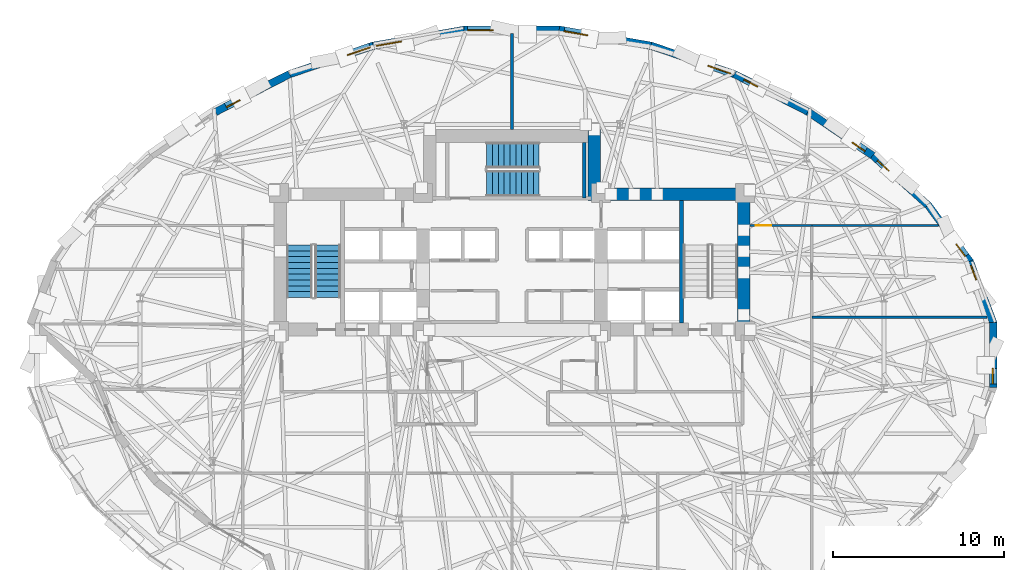
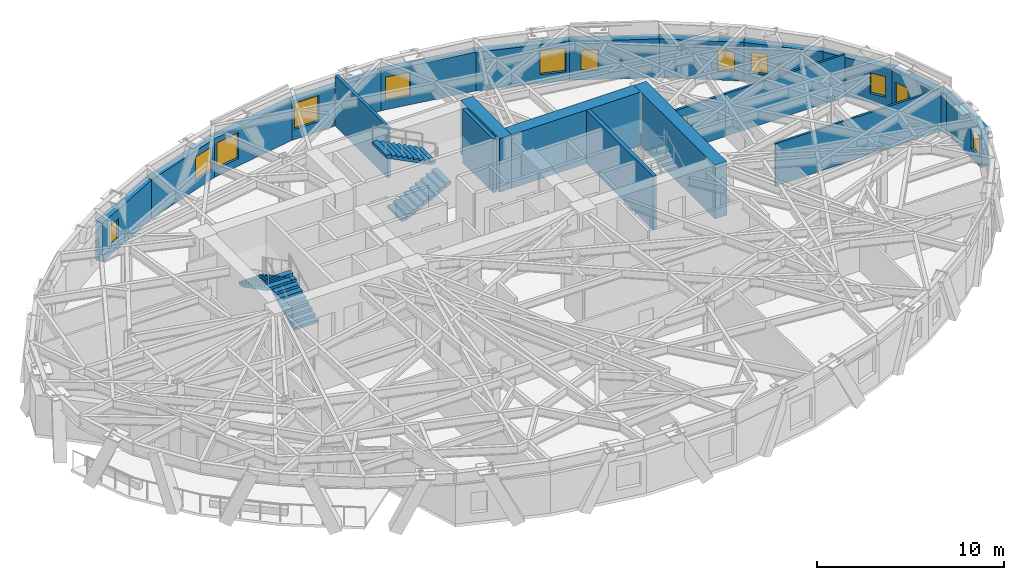
# One storey, part 12 of 17: 21 walls, 12 windows, 4 stair flights, 1 door, 13 openings, 2 elements without a shape of their own.
"""IFC4 building model written with IfcOpenShell, lengths in metres."""

from ifc_helpers import new_model, si_unit, direction, frame, frame_2d, origin, place, context, subcontext, project, spatial, polyline, rectangle, outline, extrude, material, layer, layer_set, type_object, element, fill, aggregate, save


model = new_model("IFC4")

# Units and contexts
model_context = context("Model", 3, precision=1e-05, world=origin(), true_north=direction((0.0, 1.0)))
body_context = subcontext(model_context, "Body", "Model", "MODEL_VIEW")
ifc_project = project(units=[si_unit("LENGTHUNIT", "METRE"), si_unit("AREAUNIT", "SQUARE_METRE"), si_unit("VOLUMEUNIT", "CUBIC_METRE"), si_unit("PLANEANGLEUNIT", "RADIAN"), si_unit("MASSUNIT", "GRAM", prefix="KILO")], contexts=[model_context])

# Site, building, storey
site_placement = place(None, origin())
site = spatial("IfcSite", under=ifc_project, at=site_placement, CompositionType="ELEMENT")
building_placement = place(site_placement, origin())
building = spatial("IfcBuilding", under=site, at=building_placement, Name="Keldmark Tower", CompositionType="ELEMENT")
storey_placement = place(building_placement, frame((0.0, 0.0, 96.60009765625)))
storey = spatial("IfcBuildingStorey", under=building, at=storey_placement, Name="L25", CompositionType="ELEMENT", Elevation=96.60009765625)

# Wall, opening, door
ifc_material_1 = material(Name="Acoustic Double-Layer Gypsum Corridor Partition", Category="gypsum")
ifc_layer_1 = layer(ifc_material_1, 0.139892578125)
ifc_layer_set_1 = layer_set([ifc_layer_1], Name="Acoustic Double-Layer Gypsum Corridor Partition")
wall_type_1 = type_object("IfcWallType", Name="Acoustic Corridor Partition 140 mm", PredefinedType="PARTITIONING", material=ifc_layer_set_1)
wall_1_placement = place(storey_placement, frame((13.89990234375, 7.550048828125, 0.0), z_axis=(0.0, 0.0, 1.0), x_axis=(1.0, 0.0, 0.0)))
wall_1 = element("IfcWall", 1, at=wall_1_placement, inside=storey, type_object=wall_type_1, Name="L25 Acoustic Corridor Partition 140 mm COR-EN-CAP", PredefinedType="PARTITIONING", context=body_context, shape_type="SweptSolid", body=[
    extrude(rectangle(XDim=3.60009765625, YDim=0.139892578125, at=frame_2d((1.800048828125, 0.0))), origin(), (0.0, 0.0, 1.0), 2.762939453125),
])
opening_1_placement = place(wall_1_placement, frame((0.320068359375, 0.0, 0.0)))
opening_1 = element("IfcOpeningElement", 2, at=opening_1_placement, cuts=wall_1, Name="Opening D-EX092", PredefinedType="OPENING", context=body_context, shape_type="SweptSolid", body=[
    extrude(rectangle(XDim=0.919921875, YDim=2.14990234375, at=frame_2d((0.4599609375, 1.074951171875))), frame((0.0, 0.079833984375, 0.0), z_axis=(0.0, -1.0, 0.0), x_axis=(1.0, 0.0, 0.0)), (0.0, 0.0, 1.0), 0.159912109375),
])
ifc_material_2 = material(Name="Flush American Ash Executive Office Door", Category="wood")
door_type = type_object("IfcDoorType", Name="Executive Office Door 920x2150", OperationType="NOTDEFINED", PredefinedType="DOOR", material=ifc_material_2)
door_placement = place(opening_1_placement, origin())
door = element("IfcDoor", 3, at=door_placement, inside=storey, type_object=door_type, Name="L25 Executive Office Door 920x2150 D-NRNE-L25", OperationType="SINGLE_SWING_RIGHT", OverallHeight=2.14990234375, OverallWidth=0.919921875, PredefinedType="DOOR", context=body_context, shape_type="SweptSolid", body=[
    extrude(rectangle(XDim=0.919921875, YDim=2.14990234375, at=frame_2d((0.4599609375, 1.074951171875))), frame((0.0, 0.02490234375, 0.0), z_axis=(0.0, -1.0, 0.0), x_axis=(1.0, 0.0, 0.0)), (0.0, 0.0, 1.0), 0.050048828125),
])
fill(opening_1, door)

# Walls
ifc_material_3 = material(Name="STC-58 Insulated Tenant Demising Gypsum Partition", Category="gypsum")
ifc_layer_2 = layer(ifc_material_3, 0.175048828125)
ifc_layer_set_2 = layer_set([ifc_layer_2], Name="STC-58 Insulated Tenant Demising Gypsum Partition")
wall_type_2 = type_object("IfcWallType", Name="Demising Suite Partition 175 mm", PredefinedType="PARTITIONING", material=ifc_layer_set_2)
wall_2_placement = place(storey_placement, frame((0.0, 13.14990234375, 0.0), z_axis=(0.0, 0.0, 1.0), x_axis=(0.0, 1.0, 0.0)))
element("IfcWall", 4, at=wall_2_placement, inside=storey, type_object=wall_type_2, Name="L25 Demising Suite Partition 175 mm N-MID-DIV", PredefinedType="PARTITIONING", context=body_context, shape_type="SweptSolid", body=[
    extrude(rectangle(XDim=5.59423828125, YDim=0.175048828125, at=frame_2d((2.797119140625, 0.0))), origin(), (0.0, 0.0, 1.0), 3.309814453125),
])
ifc_material_4 = material(Name="Acoustic Gypsum Board Interior Partition", Category="gypsum")
ifc_layer_3 = layer(ifc_material_4, 0.1298828125)
ifc_layer_set_3 = layer_set([ifc_layer_3], Name="Acoustic Gypsum Board Interior Partition")
wall_type_3 = type_object("IfcWallType", Name="Interior Partition 130 mm", PredefinedType="PARTITIONING", material=ifc_layer_set_3)
wall_3_placement = place(storey_placement, frame((17.5, 7.550048828125, 0.0), z_axis=(0.0, 0.0, 1.0), x_axis=(1.0, 0.0, 0.0)))
element("IfcWall", 5, at=wall_3_placement, inside=storey, type_object=wall_type_3, Name="L25 Interior Partition 130 mm E-CAP-N", PredefinedType="PARTITIONING", context=body_context, shape_type="SweptSolid", body=[
    extrude(rectangle(XDim=7.37890625, YDim=0.1298828125, at=frame_2d((3.689453125, 0.0))), origin(), (0.0, 0.0, 1.0), 2.762939453125),
])
wall_4_placement = place(storey_placement, frame((17.5, 2.199951171875, 0.0), z_axis=(0.0, 0.0, 1.0), x_axis=(1.0, 0.0, 0.0)))
element("IfcWall", 6, at=wall_4_placement, inside=storey, type_object=wall_type_3, Name="L25 Interior Partition 130 mm E-DIV-1", PredefinedType="PARTITIONING", context=body_context, shape_type="SweptSolid", body=[
    extrude(rectangle(XDim=10.2158203125, YDim=0.1298828125, at=frame_2d((5.10791015625, 0.0))), origin(), (0.0, 0.0, 1.0), 2.7509765625),
])
ifc_material_5 = material(Name="Concrete C70/85", Category="concrete")
ifc_layer_4 = layer(ifc_material_5, 0.75)
ifc_layer_set_4 = layer_set([ifc_layer_4], Name="Concrete C70/85")
wall_type_4 = type_object("IfcWallType", Name="Low-Mid Core Shear Wall 750 mm", PredefinedType="SHEAR", material=ifc_layer_set_4)
wall_5_placement = place(storey_placement, frame((13.52490234375, 1.10009765625, 0.0), z_axis=(0.0, 0.0, 1.0), x_axis=(0.0, 1.0, 0.0)))
element("IfcWall", 7, at=wall_5_placement, inside=storey, type_object=wall_type_4, Name="L25 East Core Outer Shear Wall", PredefinedType="SHEAR", context=body_context, shape_type="SweptSolid", body=[
    extrude(rectangle(XDim=8.64990234375, YDim=0.75, at=frame_2d((4.324951171875, 0.0))), origin(), (0.0, 0.0, 1.0), 3.5),
])
wall_6_placement = place(storey_placement, frame((4.425048828125, 9.375, 0.0), z_axis=(0.0, 0.0, 1.0), x_axis=(1.0, 0.0, 0.0)))
element("IfcWall", 8, at=wall_6_placement, inside=storey, type_object=wall_type_4, Name="L25 East Core North Shear Wall", PredefinedType="SHEAR", context=body_context, shape_type="SweptSolid", body=[
    extrude(rectangle(XDim=9.474853515625, YDim=0.75, at=frame_2d((4.7373046875, 0.0))), origin(), (0.0, 0.0, 1.0), 3.5),
])
wall_7_placement = place(storey_placement, frame((4.800048828125, 9.0, 0.0), z_axis=(0.0, 0.0, 1.0), x_axis=(0.0, 1.0, 0.0)))
element("IfcWall", 9, at=wall_7_placement, inside=storey, type_object=wall_type_4, Name="L25 North Core East Shear Wall", PredefinedType="SHEAR", context=body_context, shape_type="SweptSolid", body=[
    extrude(rectangle(XDim=4.14990234375, YDim=0.75, at=frame_2d((2.074951171875, 0.0))), origin(), (0.0, 0.0, 1.0), 3.5),
])
ifc_material_6 = material(Name="Concrete C50/60", Category="concrete")
ifc_layer_5 = layer(ifc_material_6, 0.219970703125)
ifc_layer_set_5 = layer_set([ifc_layer_5], Name="Concrete C50/60")
wall_type_5 = type_object("IfcWallType", Name="Stair Core Shear Wall 220 mm", PredefinedType="SHEAR", material=ifc_layer_set_5)
wall_8_placement = place(storey_placement, frame((9.889892578125, 1.85009765625, 0.0), z_axis=(0.0, 0.0, 1.0), x_axis=(0.0, 1.0, 0.0)))
element("IfcWall", 10, at=wall_8_placement, inside=storey, type_object=wall_type_5, Name="L25 East Stair Core Shear Wall", PredefinedType="SHEAR", context=body_context, shape_type="SweptSolid", body=[
    extrude(rectangle(XDim=7.14990234375, YDim=0.219970703125, at=frame_2d((3.574951171875, 0.0))), origin(), (0.0, 0.0, 1.0), 3.5),
])
wall_9_placement = place(storey_placement, frame((4.215087890625, 9.139892578125, 0.0), z_axis=(0.0, 0.0, 1.0), x_axis=(0.0, 1.0, 0.0)))
element("IfcWall", 11, at=wall_9_placement, inside=storey, type_object=wall_type_5, Name="L25 Central Stair Core East Shear Wall", PredefinedType="SHEAR", context=body_context, shape_type="SweptSolid", body=[
    extrude(rectangle(XDim=3.260009765625, YDim=0.219970703125, at=frame_2d((1.6298828125, 0.0))), origin(), (0.0, 0.0, 1.0), 3.5),
])

# Wall, opening, window
ifc_material_7 = material(Name="Ironspot Manganese Brick and Kasota Buff Limestone Spandrel Assembly", Category="masonry")
ifc_layer_6 = layer(ifc_material_7, 0.43994140625)
ifc_layer_set_6 = layer_set([ifc_layer_6], Name="Ironspot Manganese Brick and Kasota Buff Limestone Spandrel Assembly")
wall_type_6 = type_object("IfcWallType", Name="Tower Brick Pier and Spandrel Wall 440 mm", PredefinedType="STANDARD", material=ifc_layer_set_6)
wall_10_placement = place(storey_placement, frame((26.720458984375, 5.45849609375, 0.0), z_axis=(0.0, 0.0, 1.0), x_axis=(0.355453982488, -0.93469378212, 0.0)))
wall_10 = element("IfcWall", 12, at=wall_10_placement, inside=storey, type_object=wall_type_6, Name="L25 Exterior Brick and Spandrel Wall 01", PredefinedType="STANDARD", context=body_context, shape_type="SweptSolid", body=[
    extrude(rectangle(XDim=3.9013671875, YDim=0.43994140625, at=frame_2d((1.95068359375, 0.0))), origin(), (0.0, 0.0, 1.0), 2.52783203125),
])
opening_2_placement = place(wall_10_placement, frame((0.2490234375, 0.0, 0.419921875)))
opening_2 = element("IfcOpeningElement", 13, at=opening_2_placement, cuts=wall_10, Name="Opening W-09", PredefinedType="OPENING", context=body_context, shape_type="SweptSolid", body=[
    extrude(rectangle(XDim=0.89990234375, YDim=1.35009765625, at=frame_2d((0.449951171875, 0.675048828125))), frame((0.0, 0.22998046875, 0.0), z_axis=(0.0, -1.0, 0.0), x_axis=(1.0, 0.0, 0.0)), (0.0, 0.0, 1.0), 0.4599609375),
])
ifc_material_8 = material(Name="Thermally Broken Anodized Aluminum and Triple Low-E Argon Glazing", Category="aluminium")
window_type_1 = type_object("IfcWindowType", Name="Corner Pier Deep-Set Window 900x1350", PartitioningType="SINGLE_PANEL", PredefinedType="WINDOW", material=ifc_material_8)
window_1_placement = place(opening_2_placement, origin())
window_1 = element("IfcWindow", 14, at=window_1_placement, inside=storey, type_object=window_type_1, Name="L25 Deep-Set Window 01", OverallHeight=1.35009765625, OverallWidth=0.89990234375, PartitioningType="SINGLE_PANEL", PredefinedType="WINDOW", context=body_context, shape_type="SweptSolid", body=[
    extrude(rectangle(XDim=0.89990234375, YDim=1.35009765625, at=frame_2d((0.449951171875, 0.675048828125))), frame((0.0, -0.010009765625, 0.0), z_axis=(0.0, -1.0, 0.0), x_axis=(1.0, 0.0, 0.0)), (0.0, 0.0, 1.0), 0.06005859375),
])
fill(opening_2, window_1)

wall_11_placement = place(storey_placement, frame((24.287109375, 8.73291015625, 0.0), z_axis=(0.0, 0.0, 1.0), x_axis=(0.594853677057, -0.803834002075, 0.0)))
wall_11 = element("IfcWall", 15, at=wall_11_placement, inside=storey, type_object=wall_type_6, Name="L25 Exterior Brick and Spandrel Wall 02", PredefinedType="STANDARD", context=body_context, shape_type="SweptSolid", body=[
    extrude(rectangle(XDim=4.13916015625, YDim=0.43994140625, at=frame_2d((2.069580078125, 0.0))), origin(), (0.0, 0.0, 1.0), 2.52783203125),
])
opening_3_placement = place(wall_11_placement, frame((2.7900390625, 0.0, 0.580078125)))
opening_3 = element("IfcOpeningElement", 16, at=opening_3_placement, cuts=wall_11, Name="Opening W-09", PredefinedType="OPENING", context=body_context, shape_type="SweptSolid", body=[
    extrude(rectangle(XDim=0.89990234375, YDim=1.35009765625, at=frame_2d((0.449951171875, 0.675048828125))), frame((0.0, 0.22998046875, 0.0), z_axis=(0.0, -1.0, 0.0), x_axis=(1.0, 0.0, 0.0)), (0.0, 0.0, 1.0), 0.4599609375),
])
window_2_placement = place(opening_3_placement, origin())
window_2 = element("IfcWindow", 17, at=window_2_placement, inside=storey, type_object=window_type_1, Name="L25 Deep-Set Window 02", OverallHeight=1.35009765625, OverallWidth=0.89990234375, PartitioningType="SINGLE_PANEL", PredefinedType="WINDOW", context=body_context, shape_type="SweptSolid", body=[
    extrude(rectangle(XDim=0.89990234375, YDim=1.35009765625, at=frame_2d((0.449951171875, 0.675048828125))), frame((0.0, -0.010009765625, 0.0), z_axis=(0.0, -1.0, 0.0), x_axis=(1.0, 0.0, 0.0)), (0.0, 0.0, 1.0), 0.06005859375),
])
fill(opening_3, window_2)

wall_12_placement = place(storey_placement, frame((21.0546875, 11.630859375, 0.0), z_axis=(0.0, 0.0, 1.0), x_axis=(0.743897322515, -0.668293927516, 0.0)))
wall_12 = element("IfcWall", 18, at=wall_12_placement, inside=storey, type_object=wall_type_6, Name="L25 Exterior Brick and Spandrel Wall 03", PredefinedType="STANDARD", context=body_context, shape_type="SweptSolid", body=[
    extrude(rectangle(XDim=4.38525390625, YDim=0.43994140625, at=frame_2d((2.192626953125, 0.0))), origin(), (0.0, 0.0, 1.0), 2.52783203125),
])
opening_4_placement = place(wall_12_placement, frame((0.399169921875, 0.0, 0.580078125)))
opening_4 = element("IfcOpeningElement", 19, at=opening_4_placement, cuts=wall_12, Name="Opening W-09", PredefinedType="OPENING", context=body_context, shape_type="SweptSolid", body=[
    extrude(rectangle(XDim=0.89990234375, YDim=1.35009765625, at=frame_2d((0.449951171875, 0.675048828125))), frame((0.0, 0.22998046875, 0.0), z_axis=(0.0, -1.0, 0.0), x_axis=(1.0, 0.0, 0.0)), (0.0, 0.0, 1.0), 0.4599609375),
])
window_3_placement = place(opening_4_placement, origin())
window_3 = element("IfcWindow", 20, at=window_3_placement, inside=storey, type_object=window_type_1, Name="L25 Deep-Set Window 03", OverallHeight=1.35009765625, OverallWidth=0.89990234375, PartitioningType="SINGLE_PANEL", PredefinedType="WINDOW", context=body_context, shape_type="SweptSolid", body=[
    extrude(rectangle(XDim=0.89990234375, YDim=1.35009765625, at=frame_2d((0.449951171875, 0.675048828125))), frame((0.0, -0.010009765625, 0.0), z_axis=(0.0, -1.0, 0.0), x_axis=(1.0, 0.0, 0.0)), (0.0, 0.0, 1.0), 0.06005859375),
])
fill(opening_4, window_3)

wall_13_placement = place(storey_placement, frame((17.2763671875, 14.189697265625, 0.0), z_axis=(0.0, 0.0, 1.0), x_axis=(0.827740300315, -0.561111392893, 0.0)))
wall_13 = element("IfcWall", 21, at=wall_13_placement, inside=storey, type_object=wall_type_6, Name="L25 Exterior Brick and Spandrel Wall 04", PredefinedType="STANDARD", context=body_context, shape_type="SweptSolid", body=[
    extrude(rectangle(XDim=4.593017578125, YDim=0.43994140625, at=frame_2d((2.29638671875, 0.0))), origin(), (0.0, 0.0, 1.0), 2.52783203125),
])
opening_5_placement = place(wall_13_placement, frame((3.143798828125, 0.0, 0.580078125)))
opening_5 = element("IfcOpeningElement", 22, at=opening_5_placement, cuts=wall_13, Name="Opening W-09", PredefinedType="OPENING", context=body_context, shape_type="SweptSolid", body=[
    extrude(rectangle(XDim=0.89990234375, YDim=1.35009765625, at=frame_2d((0.449951171875, 0.675048828125))), frame((0.0, 0.22998046875, 0.0), z_axis=(0.0, -1.0, 0.0), x_axis=(1.0, 0.0, 0.0)), (0.0, 0.0, 1.0), 0.4599609375),
])
window_4_placement = place(opening_5_placement, origin())
window_4 = element("IfcWindow", 23, at=window_4_placement, inside=storey, type_object=window_type_1, Name="L25 Deep-Set Window 04", OverallHeight=1.35009765625, OverallWidth=0.89990234375, PartitioningType="SINGLE_PANEL", PredefinedType="WINDOW", context=body_context, shape_type="SweptSolid", body=[
    extrude(rectangle(XDim=0.89990234375, YDim=1.35009765625, at=frame_2d((0.449951171875, 0.675048828125))), frame((0.0, -0.010009765625, 0.0), z_axis=(0.0, -1.0, 0.0), x_axis=(1.0, 0.0, 0.0)), (0.0, 0.0, 1.0), 0.06005859375),
])
fill(opening_5, window_4)

wall_14_placement = place(storey_placement, frame((12.97607421875, 16.38720703125, 0.0), z_axis=(0.0, 0.0, 1.0), x_axis=(0.890297461787, -0.455379434687, 0.0)))
wall_14 = element("IfcWall", 24, at=wall_14_placement, inside=storey, type_object=wall_type_6, Name="L25 Exterior Brick and Spandrel Wall 05", PredefinedType="STANDARD", context=body_context, shape_type="SweptSolid", body=[
    extrude(rectangle(XDim=4.856201171875, YDim=0.43994140625, at=frame_2d((2.42822265625, 0.0))), origin(), (0.0, 0.0, 1.0), 2.52783203125),
])
opening_6_placement = place(wall_14_placement, frame((0.64453125, 0.0, 0.580078125)))
opening_6 = element("IfcOpeningElement", 25, at=opening_6_placement, cuts=wall_14, Name="Opening W-09", PredefinedType="OPENING", context=body_context, shape_type="SweptSolid", body=[
    extrude(rectangle(XDim=0.89990234375, YDim=1.35009765625, at=frame_2d((0.449951171875, 0.675048828125))), frame((0.0, 0.22998046875, 0.0), z_axis=(0.0, -1.0, 0.0), x_axis=(1.0, 0.0, 0.0)), (0.0, 0.0, 1.0), 0.4599609375),
])
window_5_placement = place(opening_6_placement, origin())
window_5 = element("IfcWindow", 26, at=window_5_placement, inside=storey, type_object=window_type_1, Name="L25 Deep-Set Window 05", OverallHeight=1.35009765625, OverallWidth=0.89990234375, PartitioningType="SINGLE_PANEL", PredefinedType="WINDOW", context=body_context, shape_type="SweptSolid", body=[
    extrude(rectangle(XDim=0.89990234375, YDim=1.35009765625, at=frame_2d((0.449951171875, 0.675048828125))), frame((0.0, -0.010009765625, 0.0), z_axis=(0.0, -1.0, 0.0), x_axis=(1.0, 0.0, 0.0)), (0.0, 0.0, 1.0), 0.06005859375),
])
fill(opening_6, window_5)

wall_15_placement = place(storey_placement, frame((8.09716796875, 18.0439453125, 0.0), z_axis=(0.0, 0.0, 1.0), x_axis=(0.946763558794, -0.321929749697, 0.0)))
wall_15 = element("IfcWall", 27, at=wall_15_placement, inside=storey, type_object=wall_type_6, Name="L25 Exterior Brick and Spandrel Wall 06", PredefinedType="STANDARD", context=body_context, shape_type="SweptSolid", body=[
    extrude(rectangle(XDim=5.18408203125, YDim=0.43994140625, at=frame_2d((2.592041015625, 0.0))), origin(), (0.0, 0.0, 1.0), 2.52783203125),
])
opening_7_placement = place(wall_15_placement, frame((3.534423828125, 0.0, 0.580078125)))
opening_7 = element("IfcOpeningElement", 28, at=opening_7_placement, cuts=wall_15, Name="Opening W-08", PredefinedType="OPENING", context=body_context, shape_type="SweptSolid", body=[
    extrude(rectangle(XDim=1.39990234375, YDim=1.550048828125, at=frame_2d((0.699951171875, 0.77490234375))), frame((0.0, 0.22998046875, 0.0), z_axis=(0.0, -1.0, 0.0), x_axis=(1.0, 0.0, 0.0)), (0.0, 0.0, 1.0), 0.4599609375),
])
ifc_material_9 = material(Name="Thermally Broken Anodized Aluminum and Triple Low-E Argon Glazing", Category="aluminium")
window_type_2 = type_object("IfcWindowType", Name="Residential Corner Punched Window 1400x1550", PartitioningType="SINGLE_PANEL", PredefinedType="WINDOW", material=ifc_material_9)
window_6_placement = place(opening_7_placement, origin())
window_6 = element("IfcWindow", 29, at=window_6_placement, inside=storey, type_object=window_type_2, Name="L25 Deep-Set Window 06", OverallHeight=1.550048828125, OverallWidth=1.39990234375, PartitioningType="SINGLE_PANEL", PredefinedType="WINDOW", context=body_context, shape_type="SweptSolid", body=[
    extrude(rectangle(XDim=1.39990234375, YDim=1.550048828125, at=frame_2d((0.699951171875, 0.77490234375))), frame((0.0, -0.010009765625, 0.0), z_axis=(0.0, -1.0, 0.0), x_axis=(1.0, 0.0, 0.0)), (0.0, 0.0, 1.0), 0.06005859375),
])
fill(opening_7, window_6)

wall_16_placement = place(storey_placement, frame((2.750732421875, 18.975341796875, 0.0), z_axis=(0.0, 0.0, 1.0), x_axis=(0.985074276728, -0.172129803722, 0.0)))
wall_16 = element("IfcWall", 30, at=wall_16_placement, inside=storey, type_object=wall_type_6, Name="L25 Exterior Brick and Spandrel Wall 07", PredefinedType="STANDARD", context=body_context, shape_type="SweptSolid", body=[
    extrude(rectangle(XDim=5.460693359375, YDim=0.43994140625, at=frame_2d((2.73046875, 0.0))), origin(), (0.0, 0.0, 1.0), 2.52783203125),
])
opening_8_placement = place(wall_16_placement, frame((0.298828125, 0.0, 0.580078125)))
opening_8 = element("IfcOpeningElement", 31, at=opening_8_placement, cuts=wall_16, Name="Opening W-08", PredefinedType="OPENING", context=body_context, shape_type="SweptSolid", body=[
    extrude(rectangle(XDim=1.39990234375, YDim=1.550048828125, at=frame_2d((0.699951171875, 0.77490234375))), frame((0.0, 0.22998046875, 0.0), z_axis=(0.0, -1.0, 0.0), x_axis=(1.0, 0.0, 0.0)), (0.0, 0.0, 1.0), 0.4599609375),
])
window_7_placement = place(opening_8_placement, origin())
window_7 = element("IfcWindow", 32, at=window_7_placement, inside=storey, type_object=window_type_2, Name="L25 Deep-Set Window 07", OverallHeight=1.550048828125, OverallWidth=1.39990234375, PartitioningType="SINGLE_PANEL", PredefinedType="WINDOW", context=body_context, shape_type="SweptSolid", body=[
    extrude(rectangle(XDim=1.39990234375, YDim=1.550048828125, at=frame_2d((0.699951171875, 0.77490234375))), frame((0.0, -0.010009765625, 0.0), z_axis=(0.0, -1.0, 0.0), x_axis=(1.0, 0.0, 0.0)), (0.0, 0.0, 1.0), 0.06005859375),
])
fill(opening_8, window_7)

wall_17_placement = place(storey_placement, frame((-2.78857421875, 18.97216796875, 0.0), z_axis=(0.0, 0.0, 1.0), x_axis=(1.0, 0.0, 0.0)))
wall_17 = element("IfcWall", 33, at=wall_17_placement, inside=storey, type_object=wall_type_6, Name="L25 Exterior Brick and Spandrel Wall 08", PredefinedType="STANDARD", context=body_context, shape_type="SweptSolid", body=[
    extrude(rectangle(XDim=5.5771484375, YDim=0.43994140625, at=frame_2d((2.78857421875, 0.0))), origin(), (0.0, 0.0, 1.0), 2.52783203125),
])
opening_9_placement = place(wall_17_placement, frame((0.199951171875, 0.0, 0.64990234375)))
opening_9 = element("IfcOpeningElement", 34, at=opening_9_placement, cuts=wall_17, Name="Opening W-03", PredefinedType="OPENING", context=body_context, shape_type="SweptSolid", body=[
    extrude(rectangle(XDim=1.5, YDim=1.699951171875, at=frame_2d((0.75, 0.85009765625))), frame((0.0, 0.22998046875, 0.0), z_axis=(0.0, -1.0, 0.0), x_axis=(1.0, 0.0, 0.0)), (0.0, 0.0, 1.0), 0.4599609375),
])
ifc_material_10 = material(Name="Thermally Broken Anodized Aluminum and Triple Low-E Argon Glazing", Category="aluminium")
window_type_3 = type_object("IfcWindowType", Name="Office Corner Deep-Set Window 1500x1700", PartitioningType="DOUBLE_PANEL_VERTICAL", PredefinedType="WINDOW", material=ifc_material_10)
window_8_placement = place(opening_9_placement, origin())
window_8 = element("IfcWindow", 35, at=window_8_placement, inside=storey, type_object=window_type_3, Name="L25 Deep-Set Window 08", OverallHeight=1.699951171875, OverallWidth=1.5, PartitioningType="SINGLE_PANEL", PredefinedType="WINDOW", context=body_context, shape_type="SweptSolid", body=[
    extrude(rectangle(XDim=1.5, YDim=1.699951171875, at=frame_2d((0.75, 0.85009765625))), frame((0.0, -0.010009765625, 0.0), z_axis=(0.0, -1.0, 0.0), x_axis=(1.0, 0.0, 0.0)), (0.0, 0.0, 1.0), 0.06005859375),
])
fill(opening_9, window_8)

wall_18_placement = place(storey_placement, frame((-8.1298828125, 18.035400390625, 0.0), z_axis=(0.0, 0.0, 1.0), x_axis=(0.985074276728, 0.172129803722, 0.0)))
wall_18 = element("IfcWall", 36, at=wall_18_placement, inside=storey, type_object=wall_type_6, Name="L25 Exterior Brick and Spandrel Wall 09", PredefinedType="STANDARD", context=body_context, shape_type="SweptSolid", body=[
    extrude(rectangle(XDim=5.460693359375, YDim=0.43994140625, at=frame_2d((2.73046875, 0.0))), origin(), (0.0, 0.0, 1.0), 2.52783203125),
])
opening_10_placement = place(wall_18_placement, frame((0.199951171875, 0.0, 0.47998046875)))
opening_10 = element("IfcOpeningElement", 37, at=opening_10_placement, cuts=wall_18, Name="Opening W-03", PredefinedType="OPENING", context=body_context, shape_type="SweptSolid", body=[
    extrude(rectangle(XDim=1.5, YDim=1.699951171875, at=frame_2d((0.75, 0.85009765625))), frame((0.0, 0.22998046875, 0.0), z_axis=(0.0, -1.0, 0.0), x_axis=(1.0, 0.0, 0.0)), (0.0, 0.0, 1.0), 0.4599609375),
])
window_9_placement = place(opening_10_placement, origin())
window_9 = element("IfcWindow", 38, at=window_9_placement, inside=storey, type_object=window_type_3, Name="L25 Deep-Set Window 09", OverallHeight=1.699951171875, OverallWidth=1.5, PartitioningType="SINGLE_PANEL", PredefinedType="WINDOW", context=body_context, shape_type="SweptSolid", body=[
    extrude(rectangle(XDim=1.5, YDim=1.699951171875, at=frame_2d((0.75, 0.85009765625))), frame((0.0, -0.010009765625, 0.0), z_axis=(0.0, -1.0, 0.0), x_axis=(1.0, 0.0, 0.0)), (0.0, 0.0, 1.0), 0.06005859375),
])
fill(opening_10, window_9)

wall_19_placement = place(storey_placement, frame((-13.00537109375, 16.375, 0.0), z_axis=(0.0, 0.0, 1.0), x_axis=(0.946763558794, 0.321929749697, 0.0)))
wall_19 = element("IfcWall", 39, at=wall_19_placement, inside=storey, type_object=wall_type_6, Name="L25 Exterior Brick and Spandrel Wall 10", PredefinedType="STANDARD", context=body_context, shape_type="SweptSolid", body=[
    extrude(rectangle(XDim=5.18408203125, YDim=0.43994140625, at=frame_2d((2.592041015625, 0.0))), origin(), (0.0, 0.0, 1.0), 2.52783203125),
])
opening_11_placement = place(wall_19_placement, frame((3.584228515625, 0.0, 0.580078125)))
opening_11 = element("IfcOpeningElement", 40, at=opening_11_placement, cuts=wall_19, Name="Opening W-08", PredefinedType="OPENING", context=body_context, shape_type="SweptSolid", body=[
    extrude(rectangle(XDim=1.39990234375, YDim=1.550048828125, at=frame_2d((0.699951171875, 0.77490234375))), frame((0.0, 0.22998046875, 0.0), z_axis=(0.0, -1.0, 0.0), x_axis=(1.0, 0.0, 0.0)), (0.0, 0.0, 1.0), 0.4599609375),
])
window_10_placement = place(opening_11_placement, origin())
window_10 = element("IfcWindow", 41, at=window_10_placement, inside=storey, type_object=window_type_2, Name="L25 Deep-Set Window 10", OverallHeight=1.550048828125, OverallWidth=1.39990234375, PartitioningType="SINGLE_PANEL", PredefinedType="WINDOW", context=body_context, shape_type="SweptSolid", body=[
    extrude(rectangle(XDim=1.39990234375, YDim=1.550048828125, at=frame_2d((0.699951171875, 0.77490234375))), frame((0.0, -0.010009765625, 0.0), z_axis=(0.0, -1.0, 0.0), x_axis=(1.0, 0.0, 0.0)), (0.0, 0.0, 1.0), 0.06005859375),
])
fill(opening_11, window_10)

wall_20_placement = place(storey_placement, frame((-17.299560546875, 14.17578125, 0.0), z_axis=(0.0, 0.0, 1.0), x_axis=(0.890297461787, 0.455379434687, 0.0)))
wall_20 = element("IfcWall", 42, at=wall_20_placement, inside=storey, type_object=wall_type_6, Name="L25 Exterior Brick and Spandrel Wall 11", PredefinedType="STANDARD", context=body_context, shape_type="SweptSolid", body=[
    extrude(rectangle(XDim=4.856201171875, YDim=0.43994140625, at=frame_2d((2.42822265625, 0.0))), origin(), (0.0, 0.0, 1.0), 2.52783203125),
])
opening_12_placement = place(wall_20_placement, frame((0.69384765625, 0.0, 0.580078125)))
opening_12 = element("IfcOpeningElement", 43, at=opening_12_placement, cuts=wall_20, Name="Opening W-09", PredefinedType="OPENING", context=body_context, shape_type="SweptSolid", body=[
    extrude(rectangle(XDim=0.89990234375, YDim=1.35009765625, at=frame_2d((0.449951171875, 0.675048828125))), frame((0.0, 0.22998046875, 0.0), z_axis=(0.0, -1.0, 0.0), x_axis=(1.0, 0.0, 0.0)), (0.0, 0.0, 1.0), 0.4599609375),
])
window_11_placement = place(opening_12_placement, origin())
window_11 = element("IfcWindow", 44, at=window_11_placement, inside=storey, type_object=window_type_1, Name="L25 Deep-Set Window 11", OverallHeight=1.35009765625, OverallWidth=0.89990234375, PartitioningType="SINGLE_PANEL", PredefinedType="WINDOW", context=body_context, shape_type="SweptSolid", body=[
    extrude(rectangle(XDim=0.89990234375, YDim=1.35009765625, at=frame_2d((0.449951171875, 0.675048828125))), frame((0.0, -0.010009765625, 0.0), z_axis=(0.0, -1.0, 0.0), x_axis=(1.0, 0.0, 0.0)), (0.0, 0.0, 1.0), 0.06005859375),
])
fill(opening_12, window_11)

wall_21_placement = place(storey_placement, frame((28.0927734375, 1.890380859375, 0.0), z_axis=(0.0, 0.0, 1.0), x_axis=(0.0, -1.0, 0.0)))
wall_21 = element("IfcWall", 45, at=wall_21_placement, inside=storey, type_object=wall_type_6, Name="L25 Exterior Brick and Spandrel Wall 32", PredefinedType="STANDARD", context=body_context, shape_type="SweptSolid", body=[
    extrude(rectangle(XDim=3.78076171875, YDim=0.43994140625, at=frame_2d((1.890380859375, 0.0))), origin(), (0.0, 0.0, 1.0), 2.52783203125),
])
opening_13_placement = place(wall_21_placement, frame((2.6806640625, 0.0, 0.580078125)))
opening_13 = element("IfcOpeningElement", 46, at=opening_13_placement, cuts=wall_21, Name="Opening W-09", PredefinedType="OPENING", context=body_context, shape_type="SweptSolid", body=[
    extrude(rectangle(XDim=0.89990234375, YDim=1.35009765625, at=frame_2d((0.449951171875, 0.675048828125))), frame((0.0, 0.22998046875, 0.0), z_axis=(0.0, -1.0, 0.0), x_axis=(1.0, 0.0, 0.0)), (0.0, 0.0, 1.0), 0.4599609375),
])
window_12_placement = place(opening_13_placement, origin())
window_12 = element("IfcWindow", 47, at=window_12_placement, inside=storey, type_object=window_type_1, Name="L25 Deep-Set Window 32", OverallHeight=1.35009765625, OverallWidth=0.89990234375, PartitioningType="SINGLE_PANEL", PredefinedType="WINDOW", context=body_context, shape_type="SweptSolid", body=[
    extrude(rectangle(XDim=0.89990234375, YDim=1.35009765625, at=frame_2d((0.449951171875, 0.675048828125))), frame((0.0, -0.010009765625, 0.0), z_axis=(0.0, -1.0, 0.0), x_axis=(1.0, 0.0, 0.0)), (0.0, 0.0, 1.0), 0.06005859375),
])
fill(opening_13, window_12)

# Stair, stair flights
ifc_material_11 = material(Name="Concrete C40/50", Category="concrete")
stair_type = type_object("IfcStairType", Name="Precast Concrete Core Exit Stair", PredefinedType="HALF_TURN_STAIR", material=ifc_material_11)
stair_1_placement = place(storey_placement, origin())
stair_1 = element("IfcStair", 48, at=stair_1_placement, inside=storey, type_object=stair_type, Name="L25 Exit Stair ST1", PredefinedType="HALF_TURN_STAIR")
ifc_material_12 = material(Name="Concrete C40/50", Category="concrete")
stair_flight_type = type_object("IfcStairFlightType", Name="Precast Concrete Stair Flight 1500 mm", PredefinedType="STRAIGHT", material=ifc_material_12)
stair_flight_1_placement = place(storey_placement, frame((-10.75, 3.35009765625, 0.0), z_axis=(0.0, 0.0, 1.0), x_axis=(0.0, 1.0, 0.0)))
stair_flight_1 = element("IfcStairFlight", 49, at=stair_flight_1_placement, type_object=stair_flight_type, Name="ST1 flight 1", NumberOfRisers=10, NumberOfTreads=9, PredefinedType="STRAIGHT", RiserHeight=0.175, TreadLength=0.34, context=body_context, shape_type="SweptSolid", body=[
    extrude(outline(polyline([(0.0, 0.0), (0.0, 0.175048828125), (0.340087890625, 0.175048828125), (0.340087890625, 0.35009765625), (0.679931640625, 0.35009765625), (0.679931640625, 0.52490234375), (1.02001953125, 0.52490234375), (1.02001953125, 0.699951171875), (1.360107421875, 0.699951171875), (1.360107421875, 0.875), (1.699951171875, 0.875), (1.699951171875, 1.050048828125), (2.0400390625, 1.050048828125), (2.0400390625, 1.22509765625), (2.3798828125, 1.22509765625), (2.3798828125, 1.39990234375), (2.719970703125, 1.39990234375), (2.719970703125, 1.574951171875), (3.06005859375, 1.574951171875), (3.06005859375, 1.75), (3.06005859375, 1.406494140625), (0.32763671875, 0.0), (0.0, 0.0)])), frame((0.0, 0.75, 0.0), z_axis=(0.0, -1.0, 0.0), x_axis=(1.0, 0.0, 0.0)), (0.0, 0.0, 1.0), 1.5),
])
stair_flight_2_placement = place(storey_placement, frame((-12.39990234375, 6.409912109375, 1.75), z_axis=(0.0, 0.0, 1.0), x_axis=(0.0, -1.0, 0.0)))
stair_flight_2 = element("IfcStairFlight", 50, at=stair_flight_2_placement, type_object=stair_flight_type, Name="ST1 flight 2", NumberOfRisers=10, NumberOfTreads=9, PredefinedType="STRAIGHT", RiserHeight=0.175, TreadLength=0.34, context=body_context, shape_type="SweptSolid", body=[
    extrude(outline(polyline([(0.0, 0.0), (0.0, 0.175048828125), (0.340087890625, 0.175048828125), (0.340087890625, 0.35009765625), (0.679931640625, 0.35009765625), (0.679931640625, 0.52490234375), (1.02001953125, 0.52490234375), (1.02001953125, 0.699951171875), (1.360107421875, 0.699951171875), (1.360107421875, 0.875), (1.699951171875, 0.875), (1.699951171875, 1.050048828125), (2.0400390625, 1.050048828125), (2.0400390625, 1.22509765625), (2.3798828125, 1.22509765625), (2.3798828125, 1.39990234375), (2.719970703125, 1.39990234375), (2.719970703125, 1.574951171875), (3.06005859375, 1.574951171875), (3.06005859375, 1.75), (3.06005859375, 1.406494140625), (0.32763671875, 0.0), (0.0, 0.0)])), frame((0.0, 0.75, 0.0), z_axis=(0.0, -1.0, 0.0), x_axis=(1.0, 0.0, 0.0)), (0.0, 0.0, 1.0), 1.5),
])
aggregate(stair_1, [stair_flight_1, stair_flight_2])

stair_2_placement = place(storey_placement, origin())
stair_2 = element("IfcStair", 51, at=stair_2_placement, inside=storey, type_object=stair_type, Name="L25 Exit Stair ST3", PredefinedType="HALF_TURN_STAIR")
stair_flight_3_placement = place(storey_placement, frame((-1.47509765625, 10.0, 0.0), z_axis=(0.0, 0.0, 1.0), x_axis=(1.0, 0.0, 0.0)))
stair_flight_3 = element("IfcStairFlight", 52, at=stair_flight_3_placement, type_object=stair_flight_type, Name="ST3 flight 1", NumberOfRisers=10, NumberOfTreads=9, PredefinedType="STRAIGHT", RiserHeight=0.175, TreadLength=0.34, context=body_context, shape_type="SweptSolid", body=[
    extrude(outline(polyline([(0.0, 0.0), (0.0, 0.175048828125), (0.340087890625, 0.175048828125), (0.340087890625, 0.35009765625), (0.679931640625, 0.35009765625), (0.679931640625, 0.52490234375), (1.02001953125, 0.52490234375), (1.02001953125, 0.699951171875), (1.360107421875, 0.699951171875), (1.360107421875, 0.875), (1.699951171875, 0.875), (1.699951171875, 1.050048828125), (2.0400390625, 1.050048828125), (2.0400390625, 1.22509765625), (2.3798828125, 1.22509765625), (2.3798828125, 1.39990234375), (2.719970703125, 1.39990234375), (2.719970703125, 1.574951171875), (3.06005859375, 1.574951171875), (3.06005859375, 1.75), (3.06005859375, 1.406494140625), (0.32763671875, 0.0), (0.0, 0.0)])), frame((0.0, 0.75, 0.0), z_axis=(0.0, -1.0, 0.0), x_axis=(1.0, 0.0, 0.0)), (0.0, 0.0, 1.0), 1.5),
])
stair_flight_4_placement = place(storey_placement, frame((1.5849609375, 11.64990234375, 1.75), z_axis=(0.0, 0.0, 1.0), x_axis=(-1.0, 0.0, 0.0)))
stair_flight_4 = element("IfcStairFlight", 53, at=stair_flight_4_placement, type_object=stair_flight_type, Name="ST3 flight 2", NumberOfRisers=10, NumberOfTreads=9, PredefinedType="STRAIGHT", RiserHeight=0.175, TreadLength=0.34, context=body_context, shape_type="SweptSolid", body=[
    extrude(outline(polyline([(0.0, 0.0), (0.0, 0.175048828125), (0.340087890625, 0.175048828125), (0.340087890625, 0.35009765625), (0.679931640625, 0.35009765625), (0.679931640625, 0.52490234375), (1.02001953125, 0.52490234375), (1.02001953125, 0.699951171875), (1.360107421875, 0.699951171875), (1.360107421875, 0.875), (1.699951171875, 0.875), (1.699951171875, 1.050048828125), (2.0400390625, 1.050048828125), (2.0400390625, 1.22509765625), (2.3798828125, 1.22509765625), (2.3798828125, 1.39990234375), (2.719970703125, 1.39990234375), (2.719970703125, 1.574951171875), (3.06005859375, 1.574951171875), (3.06005859375, 1.75), (3.06005859375, 1.406494140625), (0.32763671875, 0.0), (0.0, 0.0)])), frame((0.0, 0.75, 0.0), z_axis=(0.0, -1.0, 0.0), x_axis=(1.0, 0.0, 0.0)), (0.0, 0.0, 1.0), 1.5),
])
aggregate(stair_2, [stair_flight_3, stair_flight_4])

save(model, "model.ifc")
